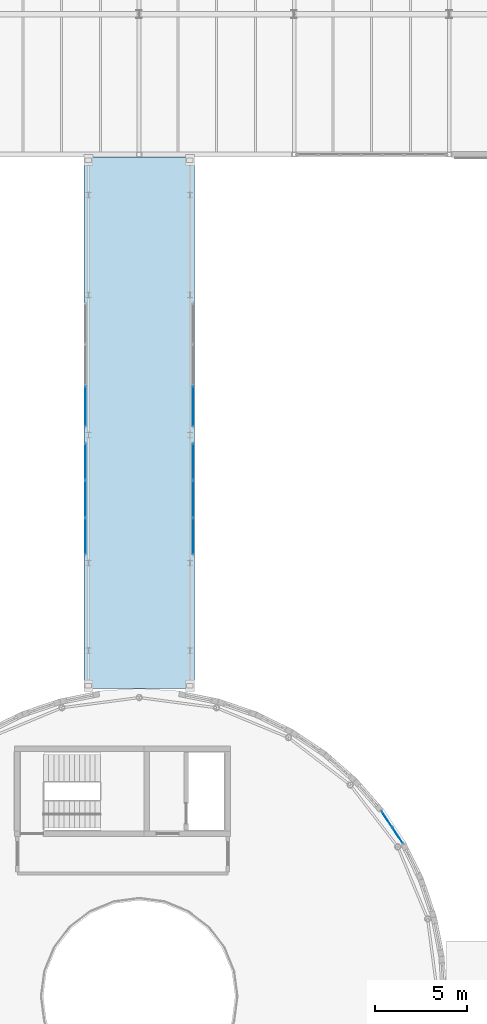
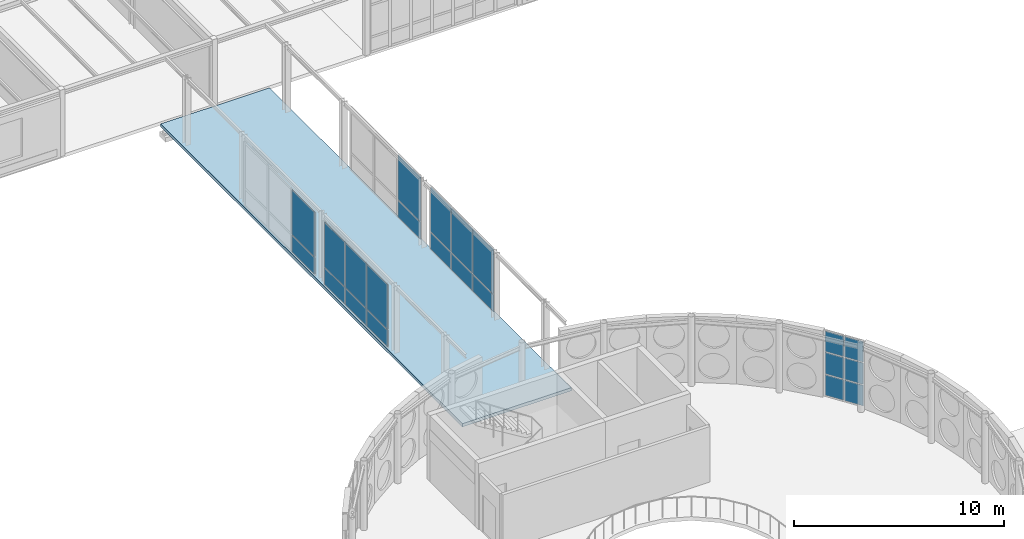
# One storey, part 142 of 189: 22 plates, 1 slab, 5 elements without a shape of their own.
"""IFC4 building model written with IfcOpenShell, lengths in metres."""

from ifc_helpers import new_model, si_unit, direction, frame, origin, origin_2d, place, context, subcontext, project, spatial, polyline, rectangle, outline, extrude, material, layer, layer_set, type_object, element, aggregate, save


model = new_model("IFC4")

# Units and contexts
model_context = context("Model", 3, precision=1e-05, world=origin(), true_north=direction((0.0, 1.0)))
body_context = subcontext(model_context, "Body", "Model", "MODEL_VIEW")
ifc_project = project(units=[si_unit("LENGTHUNIT", "METRE"), si_unit("AREAUNIT", "SQUARE_METRE"), si_unit("VOLUMEUNIT", "CUBIC_METRE"), si_unit("PLANEANGLEUNIT", "RADIAN"), si_unit("MASSUNIT", "GRAM", prefix="KILO")], contexts=[model_context])

# Site, building, storey
site_placement = place(None, origin())
site = spatial("IfcSite", under=ifc_project, at=site_placement, CompositionType="ELEMENT")
building_placement = place(site_placement, origin())
building = spatial("IfcBuilding", under=site, at=building_placement, Name="Montecoro Central Library", CompositionType="ELEMENT")
storey_placement = place(building_placement, frame((0.0, 0.0, 9.179931640625)))
storey = spatial("IfcBuildingStorey", under=building, at=storey_placement, Name="L02", CompositionType="ELEMENT", Elevation=9.179931640625)

# Curtain wall, plates
ifc_material_1 = material(Name="Bronze-anodised aluminium and low-E glazing", Category="aluminium")
ifc_layer_1 = layer(ifc_material_1, 0.159912109375)
ifc_layer_set_1 = layer_set([ifc_layer_1], Name="Bronze-anodised aluminium and low-E glazing")
curtain_wall_type_1 = type_object("IfcCurtainWallType", Name="CWT-077", PredefinedType="NOTDEFINED", material=ifc_layer_set_1)
curtain_wall_1_placement = place(storey_placement, origin())
curtain_wall_1 = element("IfcCurtainWall", 1, at=curtain_wall_1_placement, inside=storey, type_object=curtain_wall_type_1, Name="BR-N-L02-CW-W1", PredefinedType="NOTDEFINED")
ifc_material_2 = material(Name="Laminated low-E double glazing", Category="glass")
ifc_layer_2 = layer(ifc_material_2, 0.02587890625)
ifc_layer_set_2 = layer_set([ifc_layer_2], Name="Laminated low-E double glazing")
plate_type_1 = type_object("IfcPlateType", Name="CWP-GLZ-01", PredefinedType="CURTAIN_PANEL", material=ifc_layer_set_2)
plate_1_placement = place(storey_placement, frame((88.679931640625, 60.311767578125, 0.06005859375), z_axis=(0.0, 0.0, 1.0), x_axis=(0.0, 1.0, 0.0)))
plate_1 = element("IfcPlate", 2, at=plate_1_placement, type_object=plate_type_1, Name="CW-077 panel 1.1", PredefinedType="CURTAIN_PANEL", context=body_context, shape_type="SweptSolid", body=[
    extrude(rectangle(XDim=1.943359375, YDim=0.02587890625, at=origin_2d()), origin(), (0.0, 0.0, 1.0), 0.9599609375),
])
plate_2_placement = place(storey_placement, frame((88.679931640625, 60.311767578125, 1.080078125), z_axis=(0.0, 0.0, 1.0), x_axis=(0.0, 1.0, 0.0)))
plate_2 = element("IfcPlate", 3, at=plate_2_placement, type_object=plate_type_1, Name="CW-077 panel 1.2", PredefinedType="CURTAIN_PANEL", context=body_context, shape_type="SweptSolid", body=[
    extrude(rectangle(XDim=1.943359375, YDim=0.02587890625, at=origin_2d()), origin(), (0.0, 0.0, 1.0), 2.590087890625),
])
plate_3_placement = place(storey_placement, frame((88.679931640625, 62.330078125, 0.06005859375), z_axis=(0.0, 0.0, 1.0), x_axis=(0.0, 1.0, 0.0)))
plate_3 = element("IfcPlate", 4, at=plate_3_placement, type_object=plate_type_1, Name="CW-077 panel 2.1", PredefinedType="CURTAIN_PANEL", context=body_context, shape_type="SweptSolid", body=[
    extrude(rectangle(XDim=1.973388671875, YDim=0.02587890625, at=origin_2d()), origin(), (0.0, 0.0, 1.0), 0.9599609375),
])
plate_4_placement = place(storey_placement, frame((88.679931640625, 62.330078125, 1.080078125), z_axis=(0.0, 0.0, 1.0), x_axis=(0.0, 1.0, 0.0)))
plate_4 = element("IfcPlate", 5, at=plate_4_placement, type_object=plate_type_1, Name="CW-077 panel 2.2", PredefinedType="CURTAIN_PANEL", context=body_context, shape_type="SweptSolid", body=[
    extrude(rectangle(XDim=1.973388671875, YDim=0.02587890625, at=origin_2d()), origin(), (0.0, 0.0, 1.0), 2.590087890625),
])
plate_5_placement = place(storey_placement, frame((88.679931640625, 64.348388671875, 0.06005859375), z_axis=(0.0, 0.0, 1.0), x_axis=(0.0, 1.0, 0.0)))
plate_5 = element("IfcPlate", 6, at=plate_5_placement, type_object=plate_type_1, Name="CW-077 panel 3.1", PredefinedType="CURTAIN_PANEL", context=body_context, shape_type="SweptSolid", body=[
    extrude(rectangle(XDim=1.943359375, YDim=0.02587890625, at=origin_2d()), origin(), (0.0, 0.0, 1.0), 0.9599609375),
])
plate_6_placement = place(storey_placement, frame((88.679931640625, 64.348388671875, 1.080078125), z_axis=(0.0, 0.0, 1.0), x_axis=(0.0, 1.0, 0.0)))
plate_6 = element("IfcPlate", 7, at=plate_6_placement, type_object=plate_type_1, Name="CW-077 panel 3.2", PredefinedType="CURTAIN_PANEL", context=body_context, shape_type="SweptSolid", body=[
    extrude(rectangle(XDim=1.943359375, YDim=0.02587890625, at=origin_2d()), origin(), (0.0, 0.0, 1.0), 2.590087890625),
])
aggregate(curtain_wall_1, [plate_1, plate_2, plate_3, plate_4, plate_5, plate_6])

ifc_layer_3 = layer(ifc_material_1, 0.159912109375)
ifc_layer_set_3 = layer_set([ifc_layer_3], Name="Bronze-anodised aluminium and low-E glazing")
curtain_wall_type_2 = type_object("IfcCurtainWallType", Name="CWT-078", PredefinedType="NOTDEFINED", material=ifc_layer_set_3)
curtain_wall_2_placement = place(storey_placement, origin())
curtain_wall_2 = element("IfcCurtainWall", 8, at=curtain_wall_2_placement, inside=storey, type_object=curtain_wall_type_2, Name="BR-N-L02-CW-W2", PredefinedType="NOTDEFINED")
plate_7_placement = place(storey_placement, frame((88.679931640625, 67.361572265625, 0.06005859375), z_axis=(0.0, 0.0, 1.0), x_axis=(0.0, 1.0, 0.0)))
plate_7 = element("IfcPlate", 9, at=plate_7_placement, type_object=plate_type_1, Name="CW-078 panel 1.1", PredefinedType="CURTAIN_PANEL", context=body_context, shape_type="SweptSolid", body=[
    extrude(rectangle(XDim=2.163330078125, YDim=0.02587890625, at=origin_2d()), origin(), (0.0, 0.0, 1.0), 0.9599609375),
])
plate_8_placement = place(storey_placement, frame((88.679931640625, 67.361572265625, 1.080078125), z_axis=(0.0, 0.0, 1.0), x_axis=(0.0, 1.0, 0.0)))
plate_8 = element("IfcPlate", 10, at=plate_8_placement, type_object=plate_type_1, Name="CW-078 panel 1.2", PredefinedType="CURTAIN_PANEL", context=body_context, shape_type="SweptSolid", body=[
    extrude(rectangle(XDim=2.163330078125, YDim=0.02587890625, at=origin_2d()), origin(), (0.0, 0.0, 1.0), 2.590087890625),
])
aggregate(curtain_wall_2, [plate_7, plate_8])

curtain_wall_3_placement = place(storey_placement, origin())
curtain_wall_3 = element("IfcCurtainWall", 11, at=curtain_wall_3_placement, inside=storey, type_object=curtain_wall_type_1, Name="BR-N-L02-CW-E1", PredefinedType="NOTDEFINED")
plate_9_placement = place(storey_placement, frame((94.52001953125, 60.311767578125, 0.06005859375), z_axis=(0.0, 0.0, 1.0), x_axis=(0.0, 1.0, 0.0)))
plate_9 = element("IfcPlate", 12, at=plate_9_placement, type_object=plate_type_1, Name="CW-077 panel 1.1", PredefinedType="CURTAIN_PANEL", context=body_context, shape_type="SweptSolid", body=[
    extrude(rectangle(XDim=1.943359375, YDim=0.02587890625, at=origin_2d()), origin(), (0.0, 0.0, 1.0), 0.9599609375),
])
plate_10_placement = place(storey_placement, frame((94.52001953125, 60.311767578125, 1.080078125), z_axis=(0.0, 0.0, 1.0), x_axis=(0.0, 1.0, 0.0)))
plate_10 = element("IfcPlate", 13, at=plate_10_placement, type_object=plate_type_1, Name="CW-077 panel 1.2", PredefinedType="CURTAIN_PANEL", context=body_context, shape_type="SweptSolid", body=[
    extrude(rectangle(XDim=1.943359375, YDim=0.02587890625, at=origin_2d()), origin(), (0.0, 0.0, 1.0), 2.590087890625),
])
plate_11_placement = place(storey_placement, frame((94.52001953125, 62.330078125, 0.06005859375), z_axis=(0.0, 0.0, 1.0), x_axis=(0.0, 1.0, 0.0)))
plate_11 = element("IfcPlate", 14, at=plate_11_placement, type_object=plate_type_1, Name="CW-077 panel 2.1", PredefinedType="CURTAIN_PANEL", context=body_context, shape_type="SweptSolid", body=[
    extrude(rectangle(XDim=1.973388671875, YDim=0.02587890625, at=origin_2d()), origin(), (0.0, 0.0, 1.0), 0.9599609375),
])
plate_12_placement = place(storey_placement, frame((94.52001953125, 62.330078125, 1.080078125), z_axis=(0.0, 0.0, 1.0), x_axis=(0.0, 1.0, 0.0)))
plate_12 = element("IfcPlate", 15, at=plate_12_placement, type_object=plate_type_1, Name="CW-077 panel 2.2", PredefinedType="CURTAIN_PANEL", context=body_context, shape_type="SweptSolid", body=[
    extrude(rectangle(XDim=1.973388671875, YDim=0.02587890625, at=origin_2d()), origin(), (0.0, 0.0, 1.0), 2.590087890625),
])
plate_13_placement = place(storey_placement, frame((94.52001953125, 64.348388671875, 0.06005859375), z_axis=(0.0, 0.0, 1.0), x_axis=(0.0, 1.0, 0.0)))
plate_13 = element("IfcPlate", 16, at=plate_13_placement, type_object=plate_type_1, Name="CW-077 panel 3.1", PredefinedType="CURTAIN_PANEL", context=body_context, shape_type="SweptSolid", body=[
    extrude(rectangle(XDim=1.943359375, YDim=0.02587890625, at=origin_2d()), origin(), (0.0, 0.0, 1.0), 0.9599609375),
])
plate_14_placement = place(storey_placement, frame((94.52001953125, 64.348388671875, 1.080078125), z_axis=(0.0, 0.0, 1.0), x_axis=(0.0, 1.0, 0.0)))
plate_14 = element("IfcPlate", 17, at=plate_14_placement, type_object=plate_type_1, Name="CW-077 panel 3.2", PredefinedType="CURTAIN_PANEL", context=body_context, shape_type="SweptSolid", body=[
    extrude(rectangle(XDim=1.943359375, YDim=0.02587890625, at=origin_2d()), origin(), (0.0, 0.0, 1.0), 2.590087890625),
])
aggregate(curtain_wall_3, [plate_9, plate_10, plate_11, plate_12, plate_13, plate_14])

curtain_wall_4_placement = place(storey_placement, origin())
curtain_wall_4 = element("IfcCurtainWall", 18, at=curtain_wall_4_placement, inside=storey, type_object=curtain_wall_type_2, Name="BR-N-L02-CW-E2", PredefinedType="NOTDEFINED")
plate_15_placement = place(storey_placement, frame((94.52001953125, 67.361572265625, 0.06005859375), z_axis=(0.0, 0.0, 1.0), x_axis=(0.0, 1.0, 0.0)))
plate_15 = element("IfcPlate", 19, at=plate_15_placement, type_object=plate_type_1, Name="CW-078 panel 1.1", PredefinedType="CURTAIN_PANEL", context=body_context, shape_type="SweptSolid", body=[
    extrude(rectangle(XDim=2.163330078125, YDim=0.02587890625, at=origin_2d()), origin(), (0.0, 0.0, 1.0), 0.9599609375),
])
plate_16_placement = place(storey_placement, frame((94.52001953125, 67.361572265625, 1.080078125), z_axis=(0.0, 0.0, 1.0), x_axis=(0.0, 1.0, 0.0)))
plate_16 = element("IfcPlate", 20, at=plate_16_placement, type_object=plate_type_1, Name="CW-078 panel 1.2", PredefinedType="CURTAIN_PANEL", context=body_context, shape_type="SweptSolid", body=[
    extrude(rectangle(XDim=2.163330078125, YDim=0.02587890625, at=origin_2d()), origin(), (0.0, 0.0, 1.0), 2.590087890625),
])
aggregate(curtain_wall_4, [plate_15, plate_16])

ifc_layer_4 = layer(ifc_material_1, 0.159912109375)
ifc_layer_set_4 = layer_set([ifc_layer_4], Name="Bronze-anodised aluminium and low-E glazing")
curtain_wall_type_3 = type_object("IfcCurtainWallType", Name="CWT-004", PredefinedType="NOTDEFINED", material=ifc_layer_set_4)
curtain_wall_5_placement = place(storey_placement, origin())
curtain_wall_5 = element("IfcCurtainWall", 21, at=curtain_wall_5_placement, inside=storey, type_object=curtain_wall_type_3, Name="V1-L02-CW-05", PredefinedType="NOTDEFINED")
ifc_layer_5 = layer(ifc_material_2, 0.030029296875)
ifc_layer_set_5 = layer_set([ifc_layer_5], Name="Laminated low-E double glazing")
plate_type_2 = type_object("IfcPlateType", Name="CWP-GLZ-02", PredefinedType="CURTAIN_PANEL", material=ifc_layer_set_5)
plate_17_placement = place(storey_placement, frame((105.596435546875, 44.125244140625, 0.06005859375), z_axis=(0.0, 0.0, 1.0), x_axis=(-0.556097814687, 0.831116851291, 0.0)))
plate_17 = element("IfcPlate", 22, at=plate_17_placement, type_object=plate_type_2, Name="CW-004 panel 1.1", PredefinedType="CURTAIN_PANEL", context=body_context, shape_type="SweptSolid", body=[
    extrude(rectangle(XDim=0.982666015625, YDim=0.030029296875, at=origin_2d()), origin(), (0.0, 0.0, 1.0), 1.18994140625),
])
plate_18_placement = place(storey_placement, frame((105.596435546875, 44.125244140625, 1.31005859375), z_axis=(0.0, 0.0, 1.0), x_axis=(-0.556097814687, 0.831116851291, 0.0)))
plate_18 = element("IfcPlate", 23, at=plate_18_placement, type_object=plate_type_2, Name="CW-004 panel 1.2", PredefinedType="CURTAIN_PANEL", context=body_context, shape_type="SweptSolid", body=[
    extrude(rectangle(XDim=0.982666015625, YDim=0.030029296875, at=origin_2d()), origin(), (0.0, 0.0, 1.0), 1.239990234375),
])
plate_19_placement = place(storey_placement, frame((105.596435546875, 44.125244140625, 2.610107421875), z_axis=(0.0, 0.0, 1.0), x_axis=(-0.556097814687, 0.831116851291, 0.0)))
plate_19 = element("IfcPlate", 24, at=plate_19_placement, type_object=plate_type_2, Name="CW-004 panel 1.3", PredefinedType="CURTAIN_PANEL", context=body_context, shape_type="SweptSolid", body=[
    extrude(rectangle(XDim=0.982666015625, YDim=0.030029296875, at=origin_2d()), origin(), (0.0, 0.0, 1.0), 1.18505859375),
])
plate_20_placement = place(storey_placement, frame((105.0166015625, 44.99169921875, 0.06005859375), z_axis=(0.0, 0.0, 1.0), x_axis=(-0.556097814687, 0.831116851291, 0.0)))
plate_20 = element("IfcPlate", 25, at=plate_20_placement, type_object=plate_type_2, Name="CW-004 panel 2.1", PredefinedType="CURTAIN_PANEL", context=body_context, shape_type="SweptSolid", body=[
    extrude(rectangle(XDim=0.982666015625, YDim=0.030029296875, at=origin_2d()), origin(), (0.0, 0.0, 1.0), 1.18994140625),
])
plate_21_placement = place(storey_placement, frame((105.0166015625, 44.99169921875, 1.31005859375), z_axis=(0.0, 0.0, 1.0), x_axis=(-0.556097814687, 0.831116851291, 0.0)))
plate_21 = element("IfcPlate", 26, at=plate_21_placement, type_object=plate_type_2, Name="CW-004 panel 2.2", PredefinedType="CURTAIN_PANEL", context=body_context, shape_type="SweptSolid", body=[
    extrude(rectangle(XDim=0.982666015625, YDim=0.030029296875, at=origin_2d()), origin(), (0.0, 0.0, 1.0), 1.239990234375),
])
plate_22_placement = place(storey_placement, frame((105.0166015625, 44.99169921875, 2.610107421875), z_axis=(0.0, 0.0, 1.0), x_axis=(-0.556097814687, 0.831116851291, 0.0)))
plate_22 = element("IfcPlate", 27, at=plate_22_placement, type_object=plate_type_2, Name="CW-004 panel 2.3", PredefinedType="CURTAIN_PANEL", context=body_context, shape_type="SweptSolid", body=[
    extrude(rectangle(XDim=0.982666015625, YDim=0.030029296875, at=origin_2d()), origin(), (0.0, 0.0, 1.0), 1.18505859375),
])
aggregate(curtain_wall_5, [plate_17, plate_18, plate_19, plate_20, plate_21, plate_22])

# Slab
ifc_material_3 = material(Name="Concrete C32/40", Category="concrete")
ifc_layer_6 = layer(ifc_material_3, 0.18505859375)
ifc_layer_set_6 = layer_set([ifc_layer_6], Name="Concrete C32/40")
slab_type = type_object("IfcSlabType", Name="SL-BRG-185", PredefinedType="FLOOR", material=ifc_layer_set_6)
slab_placement = place(storey_placement, frame((0.0, 0.0, -0.184814453125)))
element("IfcSlab", 28, at=slab_placement, inside=storey, type_object=slab_type, Name="BR-N Skybridge Link Bridge Slab", PredefinedType="FLOOR", context=body_context, shape_type="SweptSolid", body=[
    extrude(outline(polyline([(88.60009765625, 52.06005859375), (94.60009765625, 52.06005859375), (94.60009765625, 80.860107421875), (88.60009765625, 80.860107421875), (88.60009765625, 52.06005859375)])), origin(), (0.0, 0.0, 1.0), 0.184814453125),
])

save(model, "model.ifc")
